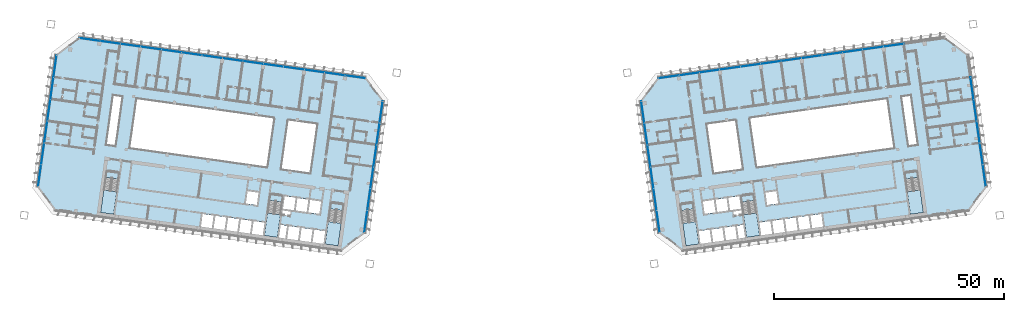
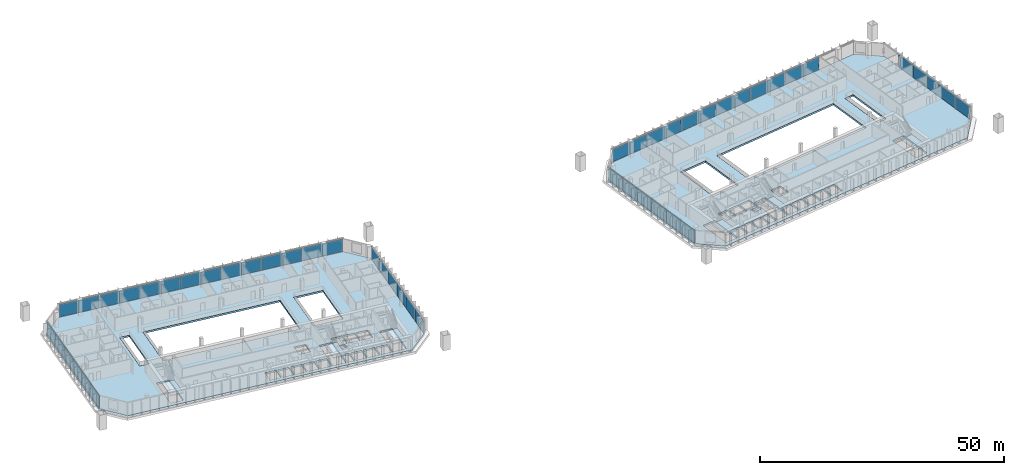
# One storey, part 12 of 26: 49 plates, 8 slabs, 12 elements without a shape of their own.
"""IFC4 building model written with IfcOpenShell, lengths in metres."""

from ifc_helpers import new_model, si_unit, direction, frame, origin, origin_2d, place, context, subcontext, project, spatial, polyline, rectangle, outline, extrude, material, layer, layer_set, type_object, element, aggregate, save


model = new_model("IFC4")

# Units and contexts
model_context = context("Model", 3, precision=1e-05, world=origin(), true_north=direction((0.0, 1.0)))
body_context = subcontext(model_context, "Body", "Model", "MODEL_VIEW")
ifc_project = project(units=[si_unit("LENGTHUNIT", "METRE"), si_unit("AREAUNIT", "SQUARE_METRE"), si_unit("VOLUMEUNIT", "CUBIC_METRE"), si_unit("PLANEANGLEUNIT", "RADIAN"), si_unit("MASSUNIT", "GRAM", prefix="KILO")], contexts=[model_context])

# Site, building, storey
site_placement = place(None, origin())
site = spatial("IfcSite", under=ifc_project, at=site_placement, CompositionType="ELEMENT")
building_placement = place(site_placement, origin())
building = spatial("IfcBuilding", under=site, at=building_placement, Name="Mirante Cascada Hotel Towers", CompositionType="ELEMENT")
storey_placement = place(building_placement, frame((0.0, 0.0, 113.9)))
storey = spatial("IfcBuildingStorey", under=building, at=storey_placement, Name="L25", CompositionType="ELEMENT", Elevation=113.9)

# Curtain wall, plates
ifc_material_1 = material(Name="Aluminium mullion and transom frame with clear laminated glass", Category="aluminium")
curtain_wall_type_1 = type_object("IfcCurtainWallType", Name="Ribbon curtain wall ECW1", PredefinedType="NOTDEFINED", material=ifc_material_1)
curtain_wall_1_placement = place(storey_placement, origin())
curtain_wall_1 = element("IfcCurtainWall", 1, at=curtain_wall_1_placement, inside=storey, type_object=curtain_wall_type_1, Name="Front ribbon wall T1 L25", PredefinedType="NOTDEFINED")
ifc_material_2 = material(Name="Clear laminated glass", Category="glass")
ifc_layer_1 = layer(ifc_material_2, 0.036)
ifc_layer_set_1 = layer_set([ifc_layer_1], Name="ECW1 glass panel 36")
plate_type_1 = type_object("IfcPlateType", Name="ECW1 glass panel 36", PredefinedType="CURTAIN_PANEL", material=ifc_layer_set_1)
plate_1_placement = place(storey_placement, frame((-91.9184, 25.7373, 0.1), z_axis=(0.0, 0.0, 1.0), x_axis=(0.9902681, -0.1391731, 0.0)))
plate_1 = element("IfcPlate", 2, at=plate_1_placement, type_object=plate_type_1, Name="ECW1 panel 1", PredefinedType="CURTAIN_PANEL", context=body_context, shape_type="SweptSolid", body=[
    extrude(rectangle(XDim=4.3936, YDim=0.036, at=origin_2d()), origin(), (0.0, 0.0, 1.0), 3.15),
])
plate_2_placement = place(storey_placement, frame((-87.487, 25.1145, 0.1), z_axis=(0.0, 0.0, 1.0), x_axis=(0.9902681, -0.1391731, 0.0)))
plate_2 = element("IfcPlate", 3, at=plate_2_placement, type_object=plate_type_1, Name="ECW1 panel 2", PredefinedType="CURTAIN_PANEL", context=body_context, shape_type="SweptSolid", body=[
    extrude(rectangle(XDim=4.4261, YDim=0.036, at=origin_2d()), origin(), (0.0, 0.0, 1.0), 3.15),
])
plate_3_placement = place(storey_placement, frame((-83.0396, 24.4895, 0.1), z_axis=(0.0, 0.0, 1.0), x_axis=(0.9902681, -0.1391731, 0.0)))
plate_3 = element("IfcPlate", 4, at=plate_3_placement, type_object=plate_type_1, Name="ECW1 panel 3", PredefinedType="CURTAIN_PANEL", context=body_context, shape_type="SweptSolid", body=[
    extrude(rectangle(XDim=4.4261, YDim=0.036, at=origin_2d()), origin(), (0.0, 0.0, 1.0), 3.15),
])
plate_4_placement = place(storey_placement, frame((-78.5922, 23.8644, 0.1), z_axis=(0.0, 0.0, 1.0), x_axis=(0.9902681, -0.1391731, 0.0)))
plate_4 = element("IfcPlate", 5, at=plate_4_placement, type_object=plate_type_1, Name="ECW1 panel 4", PredefinedType="CURTAIN_PANEL", context=body_context, shape_type="SweptSolid", body=[
    extrude(rectangle(XDim=4.4261, YDim=0.036, at=origin_2d()), origin(), (0.0, 0.0, 1.0), 3.15),
])
plate_5_placement = place(storey_placement, frame((-74.1448, 23.2394, 0.1), z_axis=(0.0, 0.0, 1.0), x_axis=(0.9902681, -0.1391731, 0.0)))
plate_5 = element("IfcPlate", 6, at=plate_5_placement, type_object=plate_type_1, Name="ECW1 panel 5", PredefinedType="CURTAIN_PANEL", context=body_context, shape_type="SweptSolid", body=[
    extrude(rectangle(XDim=4.4261, YDim=0.036, at=origin_2d()), origin(), (0.0, 0.0, 1.0), 3.15),
])
plate_6_placement = place(storey_placement, frame((-69.6974, 22.6144, 0.1), z_axis=(0.0, 0.0, 1.0), x_axis=(0.9902681, -0.1391731, 0.0)))
plate_6 = element("IfcPlate", 7, at=plate_6_placement, type_object=plate_type_1, Name="ECW1 panel 6", PredefinedType="CURTAIN_PANEL", context=body_context, shape_type="SweptSolid", body=[
    extrude(rectangle(XDim=4.4261, YDim=0.036, at=origin_2d()), origin(), (0.0, 0.0, 1.0), 3.15),
])
plate_7_placement = place(storey_placement, frame((-65.2499, 21.9893, 0.1), z_axis=(0.0, 0.0, 1.0), x_axis=(0.9902681, -0.1391731, 0.0)))
plate_7 = element("IfcPlate", 8, at=plate_7_placement, type_object=plate_type_1, Name="ECW1 panel 7", PredefinedType="CURTAIN_PANEL", context=body_context, shape_type="SweptSolid", body=[
    extrude(rectangle(XDim=4.4261, YDim=0.036, at=origin_2d()), origin(), (0.0, 0.0, 1.0), 3.15),
])
plate_8_placement = place(storey_placement, frame((-60.8025, 21.3643, 0.1), z_axis=(0.0, 0.0, 1.0), x_axis=(0.9902681, -0.1391731, 0.0)))
plate_8 = element("IfcPlate", 9, at=plate_8_placement, type_object=plate_type_1, Name="ECW1 panel 8", PredefinedType="CURTAIN_PANEL", context=body_context, shape_type="SweptSolid", body=[
    extrude(rectangle(XDim=4.4261, YDim=0.036, at=origin_2d()), origin(), (0.0, 0.0, 1.0), 3.15),
])
plate_9_placement = place(storey_placement, frame((-56.3551, 20.7392, 0.1), z_axis=(0.0, 0.0, 1.0), x_axis=(0.9902681, -0.1391731, 0.0)))
plate_9 = element("IfcPlate", 10, at=plate_9_placement, type_object=plate_type_1, Name="ECW1 panel 9", PredefinedType="CURTAIN_PANEL", context=body_context, shape_type="SweptSolid", body=[
    extrude(rectangle(XDim=4.4261, YDim=0.036, at=origin_2d()), origin(), (0.0, 0.0, 1.0), 3.15),
])
plate_10_placement = place(storey_placement, frame((-51.9077, 20.1142, 0.1), z_axis=(0.0, 0.0, 1.0), x_axis=(0.9902681, -0.1391731, 0.0)))
plate_10 = element("IfcPlate", 11, at=plate_10_placement, type_object=plate_type_1, Name="ECW1 panel 10", PredefinedType="CURTAIN_PANEL", context=body_context, shape_type="SweptSolid", body=[
    extrude(rectangle(XDim=4.4261, YDim=0.036, at=origin_2d()), origin(), (0.0, 0.0, 1.0), 3.15),
])
plate_11_placement = place(storey_placement, frame((-47.4603, 19.4891, 0.1), z_axis=(0.0, 0.0, 1.0), x_axis=(0.9902681, -0.1391731, 0.0)))
plate_11 = element("IfcPlate", 12, at=plate_11_placement, type_object=plate_type_1, Name="ECW1 panel 11", PredefinedType="CURTAIN_PANEL", context=body_context, shape_type="SweptSolid", body=[
    extrude(rectangle(XDim=4.4261, YDim=0.036, at=origin_2d()), origin(), (0.0, 0.0, 1.0), 3.15),
])
plate_12_placement = place(storey_placement, frame((-43.0129, 18.8641, 0.1), z_axis=(0.0, 0.0, 1.0), x_axis=(0.9902681, -0.1391731, 0.0)))
plate_12 = element("IfcPlate", 13, at=plate_12_placement, type_object=plate_type_1, Name="ECW1 panel 12", PredefinedType="CURTAIN_PANEL", context=body_context, shape_type="SweptSolid", body=[
    extrude(rectangle(XDim=4.4261, YDim=0.036, at=origin_2d()), origin(), (0.0, 0.0, 1.0), 3.15),
])
plate_13_placement = place(storey_placement, frame((-38.5654, 18.239, 0.1), z_axis=(0.0, 0.0, 1.0), x_axis=(0.9902681, -0.1391731, 0.0)))
plate_13 = element("IfcPlate", 14, at=plate_13_placement, type_object=plate_type_1, Name="ECW1 panel 13", PredefinedType="CURTAIN_PANEL", context=body_context, shape_type="SweptSolid", body=[
    extrude(rectangle(XDim=4.4261, YDim=0.036, at=origin_2d()), origin(), (0.0, 0.0, 1.0), 3.15),
])
plate_14_placement = place(storey_placement, frame((-34.1341, 17.6163, 0.1), z_axis=(0.0, 0.0, 1.0), x_axis=(0.9902681, -0.1391731, 0.0)))
plate_14 = element("IfcPlate", 15, at=plate_14_placement, type_object=plate_type_1, Name="ECW1 panel 14", PredefinedType="CURTAIN_PANEL", context=body_context, shape_type="SweptSolid", body=[
    extrude(rectangle(XDim=4.3936, YDim=0.036, at=origin_2d()), origin(), (0.0, 0.0, 1.0), 3.15),
])
aggregate(curtain_wall_1, [plate_1, plate_2, plate_3, plate_4, plate_5, plate_6, plate_7, plate_8, plate_9, plate_10, plate_11, plate_12, plate_13, plate_14])

curtain_wall_2_placement = place(storey_placement, origin())
curtain_wall_2 = element("IfcCurtainWall", 16, at=curtain_wall_2_placement, inside=storey, type_object=curtain_wall_type_1, Name="Front ribbon wall T2 L25", PredefinedType="NOTDEFINED")
plate_15_placement = place(storey_placement, frame((83.0396, 24.4895, 0.1), z_axis=(0.0, 0.0, 1.0), x_axis=(-0.9902681, -0.1391731, 0.0)))
plate_15 = element("IfcPlate", 17, at=plate_15_placement, type_object=plate_type_1, Name="ECW1 panel 3", PredefinedType="CURTAIN_PANEL", context=body_context, shape_type="SweptSolid", body=[
    extrude(rectangle(XDim=4.4261, YDim=0.036, at=origin_2d()), origin(), (0.0, 0.0, 1.0), 3.15),
])
plate_16_placement = place(storey_placement, frame((78.5922, 23.8644, 0.1), z_axis=(0.0, 0.0, 1.0), x_axis=(-0.9902681, -0.1391731, 0.0)))
plate_16 = element("IfcPlate", 18, at=plate_16_placement, type_object=plate_type_1, Name="ECW1 panel 4", PredefinedType="CURTAIN_PANEL", context=body_context, shape_type="SweptSolid", body=[
    extrude(rectangle(XDim=4.4261, YDim=0.036, at=origin_2d()), origin(), (0.0, 0.0, 1.0), 3.15),
])
plate_17_placement = place(storey_placement, frame((74.1448, 23.2394, 0.1), z_axis=(0.0, 0.0, 1.0), x_axis=(-0.9902681, -0.1391731, 0.0)))
plate_17 = element("IfcPlate", 19, at=plate_17_placement, type_object=plate_type_1, Name="ECW1 panel 5", PredefinedType="CURTAIN_PANEL", context=body_context, shape_type="SweptSolid", body=[
    extrude(rectangle(XDim=4.4261, YDim=0.036, at=origin_2d()), origin(), (0.0, 0.0, 1.0), 3.15),
])
plate_18_placement = place(storey_placement, frame((69.6974, 22.6144, 0.1), z_axis=(0.0, 0.0, 1.0), x_axis=(-0.9902681, -0.1391731, 0.0)))
plate_18 = element("IfcPlate", 20, at=plate_18_placement, type_object=plate_type_1, Name="ECW1 panel 6", PredefinedType="CURTAIN_PANEL", context=body_context, shape_type="SweptSolid", body=[
    extrude(rectangle(XDim=4.4261, YDim=0.036, at=origin_2d()), origin(), (0.0, 0.0, 1.0), 3.15),
])
plate_19_placement = place(storey_placement, frame((65.2499, 21.9893, 0.1), z_axis=(0.0, 0.0, 1.0), x_axis=(-0.9902681, -0.1391731, 0.0)))
plate_19 = element("IfcPlate", 21, at=plate_19_placement, type_object=plate_type_1, Name="ECW1 panel 7", PredefinedType="CURTAIN_PANEL", context=body_context, shape_type="SweptSolid", body=[
    extrude(rectangle(XDim=4.4261, YDim=0.036, at=origin_2d()), origin(), (0.0, 0.0, 1.0), 3.15),
])
plate_20_placement = place(storey_placement, frame((60.8025, 21.3643, 0.1), z_axis=(0.0, 0.0, 1.0), x_axis=(-0.9902681, -0.1391731, 0.0)))
plate_20 = element("IfcPlate", 22, at=plate_20_placement, type_object=plate_type_1, Name="ECW1 panel 8", PredefinedType="CURTAIN_PANEL", context=body_context, shape_type="SweptSolid", body=[
    extrude(rectangle(XDim=4.4261, YDim=0.036, at=origin_2d()), origin(), (0.0, 0.0, 1.0), 3.15),
])
plate_21_placement = place(storey_placement, frame((56.3551, 20.7392, 0.1), z_axis=(0.0, 0.0, 1.0), x_axis=(-0.9902681, -0.1391731, 0.0)))
plate_21 = element("IfcPlate", 23, at=plate_21_placement, type_object=plate_type_1, Name="ECW1 panel 9", PredefinedType="CURTAIN_PANEL", context=body_context, shape_type="SweptSolid", body=[
    extrude(rectangle(XDim=4.4261, YDim=0.036, at=origin_2d()), origin(), (0.0, 0.0, 1.0), 3.15),
])
plate_22_placement = place(storey_placement, frame((51.9077, 20.1142, 0.1), z_axis=(0.0, 0.0, 1.0), x_axis=(-0.9902681, -0.1391731, 0.0)))
plate_22 = element("IfcPlate", 24, at=plate_22_placement, type_object=plate_type_1, Name="ECW1 panel 10", PredefinedType="CURTAIN_PANEL", context=body_context, shape_type="SweptSolid", body=[
    extrude(rectangle(XDim=4.4261, YDim=0.036, at=origin_2d()), origin(), (0.0, 0.0, 1.0), 3.15),
])
plate_23_placement = place(storey_placement, frame((47.4603, 19.4891, 0.1), z_axis=(0.0, 0.0, 1.0), x_axis=(-0.9902681, -0.1391731, 0.0)))
plate_23 = element("IfcPlate", 25, at=plate_23_placement, type_object=plate_type_1, Name="ECW1 panel 11", PredefinedType="CURTAIN_PANEL", context=body_context, shape_type="SweptSolid", body=[
    extrude(rectangle(XDim=4.4261, YDim=0.036, at=origin_2d()), origin(), (0.0, 0.0, 1.0), 3.15),
])
plate_24_placement = place(storey_placement, frame((43.0129, 18.8641, 0.1), z_axis=(0.0, 0.0, 1.0), x_axis=(-0.9902681, -0.1391731, 0.0)))
plate_24 = element("IfcPlate", 26, at=plate_24_placement, type_object=plate_type_1, Name="ECW1 panel 12", PredefinedType="CURTAIN_PANEL", context=body_context, shape_type="SweptSolid", body=[
    extrude(rectangle(XDim=4.4261, YDim=0.036, at=origin_2d()), origin(), (0.0, 0.0, 1.0), 3.15),
])
plate_25_placement = place(storey_placement, frame((38.5654, 18.239, 0.1), z_axis=(0.0, 0.0, 1.0), x_axis=(-0.9902681, -0.1391731, 0.0)))
plate_25 = element("IfcPlate", 27, at=plate_25_placement, type_object=plate_type_1, Name="ECW1 panel 13", PredefinedType="CURTAIN_PANEL", context=body_context, shape_type="SweptSolid", body=[
    extrude(rectangle(XDim=4.4261, YDim=0.036, at=origin_2d()), origin(), (0.0, 0.0, 1.0), 3.15),
])
plate_26_placement = place(storey_placement, frame((34.1341, 17.6163, 0.1), z_axis=(0.0, 0.0, 1.0), x_axis=(-0.9902681, -0.1391731, 0.0)))
plate_26 = element("IfcPlate", 28, at=plate_26_placement, type_object=plate_type_1, Name="ECW1 panel 14", PredefinedType="CURTAIN_PANEL", context=body_context, shape_type="SweptSolid", body=[
    extrude(rectangle(XDim=4.3936, YDim=0.036, at=origin_2d()), origin(), (0.0, 0.0, 1.0), 3.15),
])
aggregate(curtain_wall_2, [plate_15, plate_16, plate_17, plate_18, plate_19, plate_20, plate_21, plate_22, plate_23, plate_24, plate_25, plate_26])

ifc_material_3 = material(Name="Aluminium mullion and transom frame with clear laminated glass", Category="aluminium")
curtain_wall_type_2 = type_object("IfcCurtainWallType", Name="End ribbon curtain wall ECW2", PredefinedType="NOTDEFINED", material=ifc_material_3)
curtain_wall_3_placement = place(storey_placement, origin())
curtain_wall_3 = element("IfcCurtainWall", 29, at=curtain_wall_3_placement, inside=storey, type_object=curtain_wall_type_2, Name="Inner end wall T1 L25", PredefinedType="NOTDEFINED")
ifc_material_4 = material(Name="Clear laminated glass", Category="glass")
ifc_layer_2 = layer(ifc_material_4, 0.034)
ifc_layer_set_2 = layer_set([ifc_layer_2], Name="ECW2 glass panel 34")
plate_type_2 = type_object("IfcPlateType", Name="ECW2 glass panel 34", PredefinedType="CURTAIN_PANEL", material=ifc_layer_set_2)
plate_27_placement = place(storey_placement, frame((-28.4763, 9.9193, 0.1), z_axis=(0.0, 0.0, 1.0), x_axis=(-0.1391731, -0.9902681, 0.0)))
plate_27 = element("IfcPlate", 30, at=plate_27_placement, type_object=plate_type_2, Name="ECW2 panel 1", PredefinedType="CURTAIN_PANEL", context=body_context, shape_type="SweptSolid", body=[
    extrude(rectangle(XDim=4.7151, YDim=0.034, at=origin_2d()), origin(), (0.0, 0.0, 1.0), 3.15),
])
plate_28_placement = place(storey_placement, frame((-29.1439, 5.1696, 0.1), z_axis=(0.0, 0.0, 1.0), x_axis=(-0.1391731, -0.9902681, 0.0)))
plate_28 = element("IfcPlate", 31, at=plate_28_placement, type_object=plate_type_2, Name="ECW2 panel 2", PredefinedType="CURTAIN_PANEL", context=body_context, shape_type="SweptSolid", body=[
    extrude(rectangle(XDim=4.7476, YDim=0.034, at=origin_2d()), origin(), (0.0, 0.0, 1.0), 3.15),
])
plate_29_placement = place(storey_placement, frame((-29.8136, 0.4038, 0.1), z_axis=(0.0, 0.0, 1.0), x_axis=(-0.1391731, -0.9902681, 0.0)))
plate_29 = element("IfcPlate", 32, at=plate_29_placement, type_object=plate_type_2, Name="ECW2 panel 3", PredefinedType="CURTAIN_PANEL", context=body_context, shape_type="SweptSolid", body=[
    extrude(rectangle(XDim=4.7476, YDim=0.034, at=origin_2d()), origin(), (0.0, 0.0, 1.0), 3.15),
])
plate_30_placement = place(storey_placement, frame((-30.4834, -4.362, 0.1), z_axis=(0.0, 0.0, 1.0), x_axis=(-0.1391731, -0.9902681, 0.0)))
plate_30 = element("IfcPlate", 33, at=plate_30_placement, type_object=plate_type_2, Name="ECW2 panel 4", PredefinedType="CURTAIN_PANEL", context=body_context, shape_type="SweptSolid", body=[
    extrude(rectangle(XDim=4.7476, YDim=0.034, at=origin_2d()), origin(), (0.0, 0.0, 1.0), 3.15),
])
plate_31_placement = place(storey_placement, frame((-31.1532, -9.1278, 0.1), z_axis=(0.0, 0.0, 1.0), x_axis=(-0.1391731, -0.9902681, 0.0)))
plate_31 = element("IfcPlate", 34, at=plate_31_placement, type_object=plate_type_2, Name="ECW2 panel 5", PredefinedType="CURTAIN_PANEL", context=body_context, shape_type="SweptSolid", body=[
    extrude(rectangle(XDim=4.7476, YDim=0.034, at=origin_2d()), origin(), (0.0, 0.0, 1.0), 3.15),
])
plate_32_placement = place(storey_placement, frame((-31.8207, -13.8775, 0.1), z_axis=(0.0, 0.0, 1.0), x_axis=(-0.1391731, -0.9902681, 0.0)))
plate_32 = element("IfcPlate", 35, at=plate_32_placement, type_object=plate_type_2, Name="ECW2 panel 6", PredefinedType="CURTAIN_PANEL", context=body_context, shape_type="SweptSolid", body=[
    extrude(rectangle(XDim=4.7151, YDim=0.034, at=origin_2d()), origin(), (0.0, 0.0, 1.0), 3.15),
])
aggregate(curtain_wall_3, [plate_27, plate_28, plate_29, plate_30, plate_31, plate_32])

curtain_wall_4_placement = place(storey_placement, origin())
curtain_wall_4 = element("IfcCurtainWall", 36, at=curtain_wall_4_placement, inside=storey, type_object=curtain_wall_type_2, Name="Outer end wall T1 L25", PredefinedType="NOTDEFINED")
plate_33_placement = place(storey_placement, frame((-102.1554, 0.8509, 0.1), z_axis=(0.0, 0.0, 1.0), x_axis=(0.1391731, 0.9902681, 0.0)))
plate_33 = element("IfcPlate", 37, at=plate_33_placement, type_object=plate_type_2, Name="ECW2 panel 2", PredefinedType="CURTAIN_PANEL", context=body_context, shape_type="SweptSolid", body=[
    extrude(rectangle(XDim=4.7476, YDim=0.034, at=origin_2d()), origin(), (0.0, 0.0, 1.0), 3.15),
])
plate_34_placement = place(storey_placement, frame((-101.4857, 5.6167, 0.1), z_axis=(0.0, 0.0, 1.0), x_axis=(0.1391731, 0.9902681, 0.0)))
plate_34 = element("IfcPlate", 38, at=plate_34_placement, type_object=plate_type_2, Name="ECW2 panel 3", PredefinedType="CURTAIN_PANEL", context=body_context, shape_type="SweptSolid", body=[
    extrude(rectangle(XDim=4.7476, YDim=0.034, at=origin_2d()), origin(), (0.0, 0.0, 1.0), 3.15),
])
plate_35_placement = place(storey_placement, frame((-100.8159, 10.3825, 0.1), z_axis=(0.0, 0.0, 1.0), x_axis=(0.1391731, 0.9902681, 0.0)))
plate_35 = element("IfcPlate", 39, at=plate_35_placement, type_object=plate_type_2, Name="ECW2 panel 4", PredefinedType="CURTAIN_PANEL", context=body_context, shape_type="SweptSolid", body=[
    extrude(rectangle(XDim=4.7476, YDim=0.034, at=origin_2d()), origin(), (0.0, 0.0, 1.0), 3.15),
])
plate_36_placement = place(storey_placement, frame((-100.1461, 15.1483, 0.1), z_axis=(0.0, 0.0, 1.0), x_axis=(0.1391731, 0.9902681, 0.0)))
plate_36 = element("IfcPlate", 40, at=plate_36_placement, type_object=plate_type_2, Name="ECW2 panel 5", PredefinedType="CURTAIN_PANEL", context=body_context, shape_type="SweptSolid", body=[
    extrude(rectangle(XDim=4.7476, YDim=0.034, at=origin_2d()), origin(), (0.0, 0.0, 1.0), 3.15),
])

curtain_wall_5_placement = place(storey_placement, origin())
curtain_wall_5 = element("IfcCurtainWall", 41, at=curtain_wall_5_placement, inside=storey, type_object=curtain_wall_type_2, Name="Inner end wall T2 L25", PredefinedType="NOTDEFINED")
plate_37_placement = place(storey_placement, frame((28.4763, 9.9193, 0.1), z_axis=(0.0, 0.0, 1.0), x_axis=(0.1391731, -0.9902681, 0.0)))
plate_37 = element("IfcPlate", 42, at=plate_37_placement, type_object=plate_type_2, Name="ECW2 panel 1", PredefinedType="CURTAIN_PANEL", context=body_context, shape_type="SweptSolid", body=[
    extrude(rectangle(XDim=4.7151, YDim=0.034, at=origin_2d()), origin(), (0.0, 0.0, 1.0), 3.15),
])
plate_38_placement = place(storey_placement, frame((29.1439, 5.1696, 0.1), z_axis=(0.0, 0.0, 1.0), x_axis=(0.1391731, -0.9902681, 0.0)))
plate_38 = element("IfcPlate", 43, at=plate_38_placement, type_object=plate_type_2, Name="ECW2 panel 2", PredefinedType="CURTAIN_PANEL", context=body_context, shape_type="SweptSolid", body=[
    extrude(rectangle(XDim=4.7476, YDim=0.034, at=origin_2d()), origin(), (0.0, 0.0, 1.0), 3.15),
])
plate_39_placement = place(storey_placement, frame((29.8136, 0.4038, 0.1), z_axis=(0.0, 0.0, 1.0), x_axis=(0.1391731, -0.9902681, 0.0)))
plate_39 = element("IfcPlate", 44, at=plate_39_placement, type_object=plate_type_2, Name="ECW2 panel 3", PredefinedType="CURTAIN_PANEL", context=body_context, shape_type="SweptSolid", body=[
    extrude(rectangle(XDim=4.7476, YDim=0.034, at=origin_2d()), origin(), (0.0, 0.0, 1.0), 3.15),
])
plate_40_placement = place(storey_placement, frame((30.4834, -4.362, 0.1), z_axis=(0.0, 0.0, 1.0), x_axis=(0.1391731, -0.9902681, 0.0)))
plate_40 = element("IfcPlate", 45, at=plate_40_placement, type_object=plate_type_2, Name="ECW2 panel 4", PredefinedType="CURTAIN_PANEL", context=body_context, shape_type="SweptSolid", body=[
    extrude(rectangle(XDim=4.7476, YDim=0.034, at=origin_2d()), origin(), (0.0, 0.0, 1.0), 3.15),
])
plate_41_placement = place(storey_placement, frame((31.1532, -9.1278, 0.1), z_axis=(0.0, 0.0, 1.0), x_axis=(0.1391731, -0.9902681, 0.0)))
plate_41 = element("IfcPlate", 46, at=plate_41_placement, type_object=plate_type_2, Name="ECW2 panel 5", PredefinedType="CURTAIN_PANEL", context=body_context, shape_type="SweptSolid", body=[
    extrude(rectangle(XDim=4.7476, YDim=0.034, at=origin_2d()), origin(), (0.0, 0.0, 1.0), 3.15),
])
plate_42_placement = place(storey_placement, frame((31.8207, -13.8775, 0.1), z_axis=(0.0, 0.0, 1.0), x_axis=(0.1391731, -0.9902681, 0.0)))
plate_42 = element("IfcPlate", 47, at=plate_42_placement, type_object=plate_type_2, Name="ECW2 panel 6", PredefinedType="CURTAIN_PANEL", context=body_context, shape_type="SweptSolid", body=[
    extrude(rectangle(XDim=4.7151, YDim=0.034, at=origin_2d()), origin(), (0.0, 0.0, 1.0), 3.15),
])
aggregate(curtain_wall_5, [plate_37, plate_38, plate_39, plate_40, plate_41, plate_42])

curtain_wall_6_placement = place(storey_placement, origin())
curtain_wall_6 = element("IfcCurtainWall", 48, at=curtain_wall_6_placement, inside=storey, type_object=curtain_wall_type_2, Name="Outer end wall T2 L25", PredefinedType="NOTDEFINED")
plate_43_placement = place(storey_placement, frame((102.1554, 0.8509, 0.1), z_axis=(0.0, 0.0, 1.0), x_axis=(-0.1391731, 0.9902681, 0.0)))
plate_43 = element("IfcPlate", 49, at=plate_43_placement, type_object=plate_type_2, Name="ECW2 panel 2", PredefinedType="CURTAIN_PANEL", context=body_context, shape_type="SweptSolid", body=[
    extrude(rectangle(XDim=4.7476, YDim=0.034, at=origin_2d()), origin(), (0.0, 0.0, 1.0), 3.15),
])
plate_44_placement = place(storey_placement, frame((101.4857, 5.6167, 0.1), z_axis=(0.0, 0.0, 1.0), x_axis=(-0.1391731, 0.9902681, 0.0)))
plate_44 = element("IfcPlate", 50, at=plate_44_placement, type_object=plate_type_2, Name="ECW2 panel 3", PredefinedType="CURTAIN_PANEL", context=body_context, shape_type="SweptSolid", body=[
    extrude(rectangle(XDim=4.7476, YDim=0.034, at=origin_2d()), origin(), (0.0, 0.0, 1.0), 3.15),
])
plate_45_placement = place(storey_placement, frame((100.8159, 10.3825, 0.1), z_axis=(0.0, 0.0, 1.0), x_axis=(-0.1391731, 0.9902681, 0.0)))
plate_45 = element("IfcPlate", 51, at=plate_45_placement, type_object=plate_type_2, Name="ECW2 panel 4", PredefinedType="CURTAIN_PANEL", context=body_context, shape_type="SweptSolid", body=[
    extrude(rectangle(XDim=4.7476, YDim=0.034, at=origin_2d()), origin(), (0.0, 0.0, 1.0), 3.15),
])
plate_46_placement = place(storey_placement, frame((100.1461, 15.1483, 0.1), z_axis=(0.0, 0.0, 1.0), x_axis=(-0.1391731, 0.9902681, 0.0)))
plate_46 = element("IfcPlate", 52, at=plate_46_placement, type_object=plate_type_2, Name="ECW2 panel 5", PredefinedType="CURTAIN_PANEL", context=body_context, shape_type="SweptSolid", body=[
    extrude(rectangle(XDim=4.7476, YDim=0.034, at=origin_2d()), origin(), (0.0, 0.0, 1.0), 3.15),
])

# Plate
ifc_material_5 = material(Name="Insulated aluminium spandrel panel", Category="aluminium")
ifc_layer_3 = layer(ifc_material_5, 0.034)
ifc_layer_set_3 = layer_set([ifc_layer_3], Name="ECW2 spandrel panel 34")
plate_type_3 = type_object("IfcPlateType", Name="ECW2 spandrel panel 34", PredefinedType="CURTAIN_PANEL", material=ifc_layer_set_3)
plate_47_placement = place(storey_placement, frame((-102.823, -3.8988, 0.1), z_axis=(0.0, 0.0, 1.0), x_axis=(0.1391731, 0.9902681, 0.0)))
plate_47 = element("IfcPlate", 53, at=plate_47_placement, type_object=plate_type_3, Name="ECW2 panel 1", PredefinedType="CURTAIN_PANEL", context=body_context, shape_type="SweptSolid", body=[
    extrude(rectangle(XDim=4.7151, YDim=0.034, at=origin_2d()), origin(), (0.0, 0.0, 1.0), 3.15),
])

plate_48_placement = place(storey_placement, frame((-99.4786, 19.898, 0.1), z_axis=(0.0, 0.0, 1.0), x_axis=(0.1391731, 0.9902681, 0.0)))
plate_48 = element("IfcPlate", 54, at=plate_48_placement, type_object=plate_type_3, Name="ECW2 panel 6", PredefinedType="CURTAIN_PANEL", context=body_context, shape_type="SweptSolid", body=[
    extrude(rectangle(XDim=4.7151, YDim=0.034, at=origin_2d()), origin(), (0.0, 0.0, 1.0), 3.15),
])

aggregate(curtain_wall_4, [plate_47, plate_33, plate_34, plate_35, plate_36, plate_48])

plate_49_placement = place(storey_placement, frame((102.823, -3.8988, 0.1), z_axis=(0.0, 0.0, 1.0), x_axis=(-0.1391731, 0.9902681, 0.0)))
plate_49 = element("IfcPlate", 55, at=plate_49_placement, type_object=plate_type_3, Name="ECW2 panel 1", PredefinedType="CURTAIN_PANEL", context=body_context, shape_type="SweptSolid", body=[
    extrude(rectangle(XDim=4.7151, YDim=0.034, at=origin_2d()), origin(), (0.0, 0.0, 1.0), 3.15),
])

aggregate(curtain_wall_6, [plate_49, plate_43, plate_44, plate_45, plate_46])

# Stair, slab
ifc_material_6 = material(Name="Concrete C35/45", Category="concrete")
stair_type = type_object("IfcStairType", Name="Exit stair half-turn 1350 concrete C35/45", PredefinedType="HALF_TURN_STAIR", material=ifc_material_6)
stair_1_placement = place(storey_placement, origin())
stair_1 = element("IfcStair", 56, at=stair_1_placement, inside=storey, type_object=stair_type, Name="L25 Exit stair A", PredefinedType="HALF_TURN_STAIR")
ifc_material_7 = material(Name="Concrete C35/45", Category="concrete")
ifc_layer_4 = layer(ifc_material_7, 0.2)
ifc_layer_set_4 = layer_set([ifc_layer_4], Name="Exit stair landing 200 concrete C35/45")
slab_type_1 = type_object("IfcSlabType", Name="Exit stair landing 200 concrete C35/45", PredefinedType="LANDING", material=ifc_layer_set_4)
slab_1_placement = place(storey_placement, frame((0.0, 0.0, 1.7)))
slab_1 = element("IfcSlab", 57, at=slab_1_placement, type_object=slab_type_1, Name="ST1-A landing 1", PredefinedType="LANDING", context=body_context, shape_type="SweptSolid", body=[
    extrude(outline(polyline([(-39.9987, -13.8659), (-40.6887, -18.7757), (-37.8665, -19.1723), (-37.1765, -14.2626), (-39.9987, -13.8659)])), origin(), (0.0, 0.0, 1.0), 0.2),
])
aggregate(stair_1, [slab_1])

stair_2_placement = place(storey_placement, origin())
stair_2 = element("IfcStair", 58, at=stair_2_placement, inside=storey, type_object=stair_type, Name="L25 Exit stair B", PredefinedType="HALF_TURN_STAIR")
slab_2_placement = place(storey_placement, frame((0.0, 0.0, 1.7)))
slab_2 = element("IfcSlab", 59, at=slab_2_placement, type_object=slab_type_1, Name="ST1-B landing 1", PredefinedType="LANDING", context=body_context, shape_type="SweptSolid", body=[
    extrude(outline(polyline([(-53.2188, -12.008), (-53.9088, -16.9177), (-51.0866, -17.3144), (-50.3965, -12.4046), (-53.2188, -12.008)])), origin(), (0.0, 0.0, 1.0), 0.2),
])
aggregate(stair_2, [slab_2])

stair_3_placement = place(storey_placement, origin())
stair_3 = element("IfcStair", 60, at=stair_3_placement, inside=storey, type_object=stair_type, Name="L25 Exit stair C", PredefinedType="HALF_TURN_STAIR")
slab_3_placement = place(storey_placement, frame((0.0, 0.0, 1.7)))
slab_3 = element("IfcSlab", 61, at=slab_3_placement, type_object=slab_type_1, Name="ST1-C landing 1", PredefinedType="LANDING", context=body_context, shape_type="SweptSolid", body=[
    extrude(outline(polyline([(-88.8685, -6.9977), (-89.5585, -11.9075), (-86.7362, -12.3041), (-86.0462, -7.3944), (-88.8685, -6.9977)])), origin(), (0.0, 0.0, 1.0), 0.2),
])
aggregate(stair_3, [slab_3])

stair_4_placement = place(storey_placement, origin())
stair_4 = element("IfcStair", 62, at=stair_4_placement, inside=storey, type_object=stair_type, Name="L25 Exit stair A", PredefinedType="HALF_TURN_STAIR")
slab_4_placement = place(storey_placement, frame((0.0, 0.0, 1.7)))
slab_4 = element("IfcSlab", 63, at=slab_4_placement, type_object=slab_type_1, Name="ST2-A landing 1", PredefinedType="LANDING", context=body_context, shape_type="SweptSolid", body=[
    extrude(outline(polyline([(37.1765, -14.2626), (37.8665, -19.1723), (40.6887, -18.7757), (39.9987, -13.8659), (37.1765, -14.2626)])), origin(), (0.0, 0.0, 1.0), 0.2),
])
aggregate(stair_4, [slab_4])

stair_5_placement = place(storey_placement, origin())
stair_5 = element("IfcStair", 64, at=stair_5_placement, inside=storey, type_object=stair_type, Name="L25 Exit stair B", PredefinedType="HALF_TURN_STAIR")
slab_5_placement = place(storey_placement, frame((0.0, 0.0, 1.7)))
slab_5 = element("IfcSlab", 65, at=slab_5_placement, type_object=slab_type_1, Name="ST2-B landing 1", PredefinedType="LANDING", context=body_context, shape_type="SweptSolid", body=[
    extrude(outline(polyline([(50.3965, -12.4046), (51.0866, -17.3144), (53.9088, -16.9177), (53.2188, -12.008), (50.3965, -12.4046)])), origin(), (0.0, 0.0, 1.0), 0.2),
])
aggregate(stair_5, [slab_5])

stair_6_placement = place(storey_placement, origin())
stair_6 = element("IfcStair", 66, at=stair_6_placement, inside=storey, type_object=stair_type, Name="L25 Exit stair C", PredefinedType="HALF_TURN_STAIR")
slab_6_placement = place(storey_placement, frame((0.0, 0.0, 1.7)))
slab_6 = element("IfcSlab", 67, at=slab_6_placement, type_object=slab_type_1, Name="ST2-C landing 1", PredefinedType="LANDING", context=body_context, shape_type="SweptSolid", body=[
    extrude(outline(polyline([(86.0462, -7.3944), (86.7362, -12.3041), (89.5585, -11.9075), (88.8685, -6.9977), (86.0462, -7.3944)])), origin(), (0.0, 0.0, 1.0), 0.2),
])
aggregate(stair_6, [slab_6])

# Slabs
ifc_material_8 = material(Name="Concrete C40/50", Category="concrete")
ifc_layer_5 = layer(ifc_material_8, 0.45)
ifc_layer_set_5 = layer_set([ifc_layer_5], Name="Post-tensioned flat plate 450 Concrete C40/50")
slab_type_2 = type_object("IfcSlabType", Name="Post-tensioned flat plate 450 Concrete C40/50", PredefinedType="FLOOR", material=ifc_layer_set_5)
slab_7_placement = place(storey_placement, frame((0.0, 0.0, -0.45)))
element("IfcSlab", 68, at=slab_7_placement, inside=storey, type_object=slab_type_2, Name="Floor T1 L25", PredefinedType="FLOOR", context=body_context, shape_type="SweptSolid", body=[
    extrude(outline(polyline([(-32.018, -16.3589), (-27.982, 12.3589), (-31.8119, 17.4414), (-94.1988, 26.2093), (-99.2813, 22.3794), (-103.3173, -6.3384), (-99.4874, -11.4209), (-37.1005, -20.1888), (-32.018, -16.3589)]), holes=[polyline([(-43.0718, -15.6132), (-40.5961, -15.9612), (-40.9858, -18.7339), (-43.4615, -18.386), (-43.0718, -15.6132)]), polyline([(-45.8446, -15.2236), (-43.3689, -15.5715), (-43.7586, -18.3442), (-46.2342, -17.9963), (-45.8446, -15.2236)]), polyline([(-48.6173, -14.8339), (-46.1416, -15.1818), (-46.5313, -17.9546), (-49.007, -17.6066), (-48.6173, -14.8339)]), polyline([(-50.3998, -14.5834), (-48.9144, -14.7921), (-49.3041, -17.5649), (-50.7895, -17.3561), (-50.3998, -14.5834)]), polyline([(-36.7887, -11.5037), (-37.8665, -19.1723), (-40.6887, -18.7757), (-39.611, -11.107), (-36.7887, -11.5037)]), polyline([(-49.9544, -11.4145), (-48.1472, -11.6685), (-48.2829, -12.634), (-50.0901, -12.38), (-49.9544, -11.4145)]), polyline([(-43.9775, -9.124), (-41.5018, -9.472), (-41.8915, -12.2447), (-44.3672, -11.8968), (-43.9775, -9.124)]), polyline([(-47.1399, -11.5071), (-46.7503, -8.7344), (-44.2746, -9.0823), (-44.6643, -11.855), (-47.1399, -11.5071)]), polyline([(-49.9127, -11.1174), (-49.523, -8.3447), (-47.0473, -8.6926), (-47.437, -11.4654), (-49.9127, -11.1174)]), polyline([(-56.2919, -13.7553), (-53.8162, -14.1032), (-54.2059, -16.876), (-56.6816, -16.528), (-56.2919, -13.7553)]), polyline([(-59.0646, -13.3656), (-56.589, -13.7135), (-56.9787, -16.4863), (-59.4543, -16.1383), (-59.0646, -13.3656)]), polyline([(-61.8374, -12.9759), (-59.3617, -13.3238), (-59.7514, -16.0966), (-62.2271, -15.7487), (-61.8374, -12.9759)]), polyline([(-64.6101, -12.5862), (-62.1345, -12.9342), (-62.5242, -15.7069), (-64.9998, -15.359), (-64.6101, -12.5862)]), polyline([(-67.3829, -12.1965), (-64.9072, -12.5445), (-65.2969, -15.3172), (-67.7726, -14.9693), (-67.3829, -12.1965)]), polyline([(-50.0088, -9.6457), (-51.0866, -17.3144), (-53.9088, -16.9177), (-52.8311, -9.2491), (-50.0088, -9.6457)]), polyline([(-85.6585, -4.6355), (-86.7362, -12.3041), (-89.5585, -11.9075), (-88.4807, -4.2388), (-85.6585, -4.6355)]), polyline([(-57.9834, -9.9832), (-57.5937, -7.2104), (-55.118, -7.5583), (-55.5077, -10.3311), (-57.9834, -9.9832)]), polyline([(-86.873, 13.6677), (-84.7325, 13.3668), (-84.7325, 13.3668), (-86.2634, 2.4739), (-86.2634, 2.4739), (-88.4039, 2.7747), (-86.873, 13.6677)]), polyline([(-51.7318, 8.7289), (-53.2627, -2.1641), (-53.2627, -2.1641), (-83.2906, 2.0561), (-83.2906, 2.0561), (-81.7597, 12.949), (-81.7597, 12.949), (-51.7318, 8.7289)]), polyline([(-42.3109, 7.4049), (-43.8418, -3.4881), (-50.2899, -2.5818), (-50.2899, -2.5818), (-48.759, 8.3111), (-42.3109, 7.4049)])]), origin(), (0.0, 0.0, 1.0), 0.45),
])
slab_8_placement = place(storey_placement, frame((0.0, 0.0, -0.45)))
element("IfcSlab", 69, at=slab_8_placement, inside=storey, type_object=slab_type_2, Name="Floor T2 L25", PredefinedType="FLOOR", context=body_context, shape_type="SweptSolid", body=[
    extrude(outline(polyline([(32.018, -16.3589), (27.982, 12.3589), (31.8119, 17.4414), (94.1988, 26.2093), (99.2813, 22.3794), (103.3173, -6.3384), (99.4874, -11.4209), (37.1005, -20.1888), (32.018, -16.3589)]), holes=[polyline([(43.0718, -15.6132), (40.5961, -15.9612), (40.9858, -18.7339), (43.4615, -18.386), (43.0718, -15.6132)]), polyline([(45.8446, -15.2236), (43.3689, -15.5715), (43.7586, -18.3442), (46.2342, -17.9963), (45.8446, -15.2236)]), polyline([(48.6173, -14.8339), (46.1416, -15.1818), (46.5313, -17.9546), (49.007, -17.6066), (48.6173, -14.8339)]), polyline([(50.3998, -14.5834), (48.9144, -14.7921), (49.3041, -17.5649), (50.7895, -17.3561), (50.3998, -14.5834)]), polyline([(37.8665, -19.1723), (40.6887, -18.7757), (39.611, -11.107), (36.7887, -11.5037), (37.8665, -19.1723)]), polyline([(49.9544, -11.4145), (48.1472, -11.6685), (48.2829, -12.634), (50.0901, -12.38), (49.9544, -11.4145)]), polyline([(43.9775, -9.124), (41.5018, -9.472), (41.8915, -12.2447), (44.3672, -11.8968), (43.9775, -9.124)]), polyline([(47.1399, -11.5071), (46.7503, -8.7344), (44.2746, -9.0823), (44.6643, -11.855), (47.1399, -11.5071)]), polyline([(49.9127, -11.1174), (49.523, -8.3447), (47.0473, -8.6926), (47.437, -11.4654), (49.9127, -11.1174)]), polyline([(56.2919, -13.7553), (53.8162, -14.1032), (54.2059, -16.876), (56.6816, -16.528), (56.2919, -13.7553)]), polyline([(59.0646, -13.3656), (56.589, -13.7135), (56.9787, -16.4863), (59.4543, -16.1383), (59.0646, -13.3656)]), polyline([(61.8374, -12.9759), (59.3617, -13.3238), (59.7514, -16.0966), (62.2271, -15.7487), (61.8374, -12.9759)]), polyline([(64.6101, -12.5862), (62.1345, -12.9342), (62.5242, -15.7069), (64.9998, -15.359), (64.6101, -12.5862)]), polyline([(67.3829, -12.1965), (64.9072, -12.5445), (65.2969, -15.3172), (67.7726, -14.9693), (67.3829, -12.1965)]), polyline([(51.0866, -17.3144), (53.9088, -16.9177), (52.8311, -9.2491), (50.0088, -9.6457), (51.0866, -17.3144)]), polyline([(86.7362, -12.3041), (89.5585, -11.9075), (88.4807, -4.2388), (85.6585, -4.6355), (86.7362, -12.3041)]), polyline([(57.9834, -9.9832), (57.5937, -7.2104), (55.118, -7.5583), (55.5077, -10.3311), (57.9834, -9.9832)]), polyline([(86.873, 13.6677), (88.4039, 2.7747), (86.2634, 2.4739), (86.2634, 2.4739), (84.7325, 13.3668), (84.7325, 13.3668), (86.873, 13.6677)]), polyline([(81.7597, 12.949), (81.7597, 12.949), (83.2906, 2.0561), (83.2906, 2.0561), (53.2627, -2.1641), (53.2627, -2.1641), (51.7318, 8.7289), (81.7597, 12.949)]), polyline([(43.8418, -3.4881), (42.3109, 7.4049), (48.759, 8.3111), (50.2899, -2.5818), (50.2899, -2.5818), (43.8418, -3.4881)])]), origin(), (0.0, 0.0, 1.0), 0.45),
])

save(model, "model.ifc")
